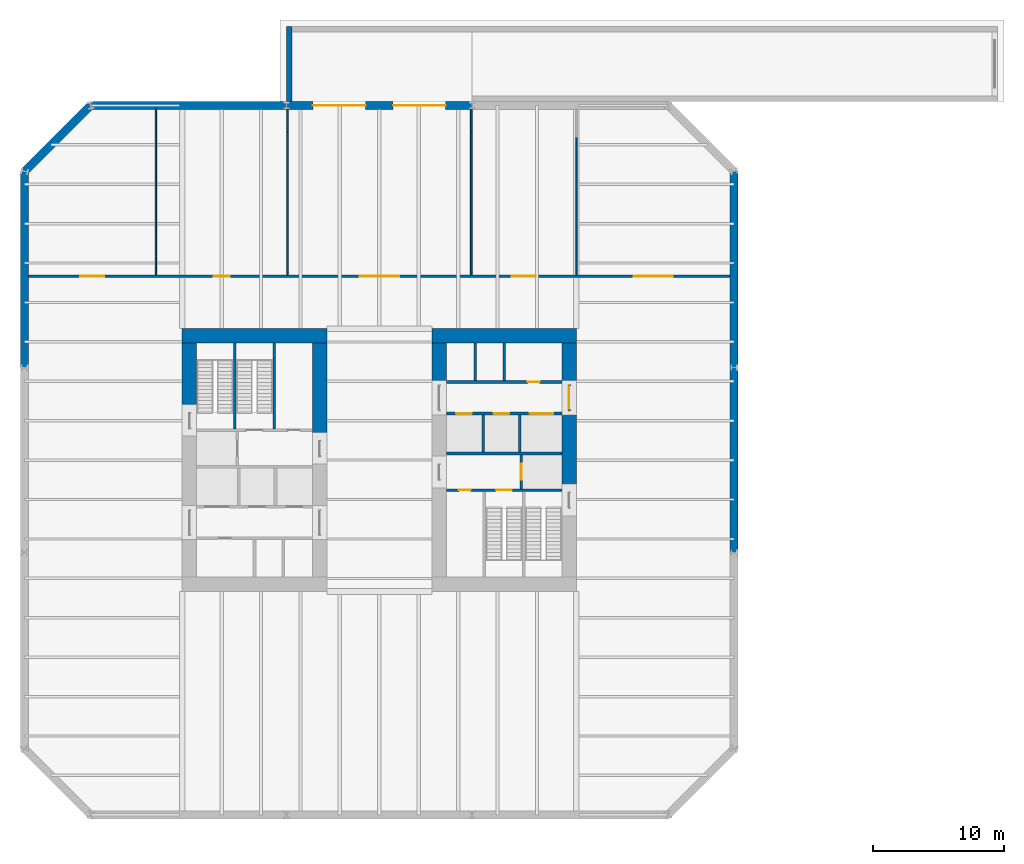
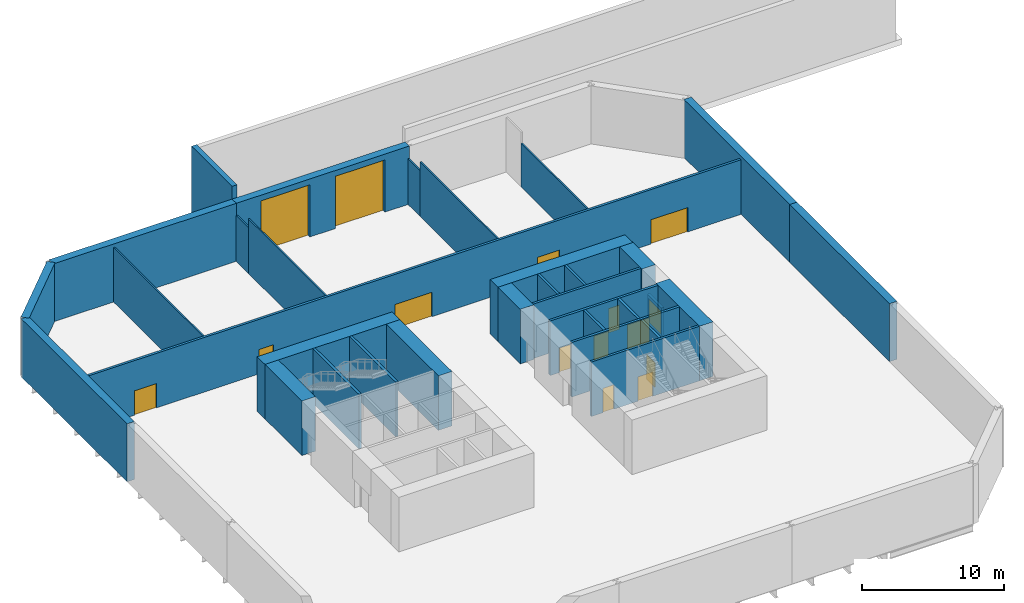
# One storey, part 3 of 6: 33 walls, 15 doors, 15 openings.
"""IFC4 building model written with IfcOpenShell, lengths in metres."""

import ifcopenshell
import ifcopenshell.guid

model = None  # the IFC model being written
_history = None  # IfcOwnerHistory: only IFC2X3 demands one
_inside = {}  # id of a spatial element -> (the spatial element, [elements in it])
_under = {}  # id of a project, library or spatial element -> (it, [spatial elements below it])
_declared = {}  # id of a project -> (the project, [libraries it declares])
_typed = {}  # id of a type object -> (the type object, [elements of that type])
_made_of = {}  # id of a material, layer set ... -> (it, [elements and type objects made of it])


def new_model(schema):
    """Start an empty IFC model of exactly this schema.

    Asked for "IFC4X3", IfcOpenShell would pick the latest addendum, in which some entities
    have other attributes; the version numbers below select the first issue.
    IFC2X3 requires an IfcOwnerHistory on every rooted entity: one is made here for all.
    """
    global model, _history
    if schema == "IFC4X3":
        model = ifcopenshell.file(schema_version=(4, 3, 0, 0))
    else:
        model = ifcopenshell.file(schema=schema)
    _inside.clear()
    _under.clear()
    _declared.clear()
    _typed.clear()
    _made_of.clear()
    _history = None
    if model.schema == "IFC2X3":
        org = make("IfcOrganization", Name="unknown")
        user = make(
            "IfcPersonAndOrganization",
            ThePerson=make("IfcPerson", FamilyName="unknown"),
            TheOrganization=org,
        )
        app = make(
            "IfcApplication",
            ApplicationDeveloper=org,
            Version="unknown",
            ApplicationFullName="unknown",
            ApplicationIdentifier="unknown",
        )
        _history = make(
            "IfcOwnerHistory",
            OwningUser=user,
            OwningApplication=app,
            ChangeAction="ADDED",
            CreationDate=0,
        )
    return model


def make(cls, **values):
    """One entity of the class cls with the attributes given. An attribute that is None is left unset."""
    return model.create_entity(
        cls, **{name: value for name, value in values.items() if value is not None}
    )


def rooted(cls, **values):
    """An entity with a GlobalId (a new one), such as an element, a storey or a relation."""
    return make(cls, GlobalId=ifcopenshell.guid.new(), OwnerHistory=_history, **values)


def si_unit(unit_type, name, prefix=None):
    """IfcSIUnit, for example si_unit("LENGTHUNIT", "METRE", prefix="MILLI")."""
    return make("IfcSIUnit", UnitType=unit_type, Prefix=prefix, Name=name)


def assignment(units):
    """IfcUnitAssignment: the units of a project."""
    return None if units is None else make("IfcUnitAssignment", Units=units)


def point(xyz):
    """IfcCartesianPoint."""
    return None if xyz is None else make("IfcCartesianPoint", Coordinates=xyz)


def direction(xyz):
    """IfcDirection."""
    return None if xyz is None else make("IfcDirection", DirectionRatios=xyz)


def frame(location, z_axis=None, x_axis=None):
    """IfcAxis2Placement3D, a coordinate frame: its origin and axes. An axis left out is left unset."""
    return make(
        "IfcAxis2Placement3D",
        Location=point(location),
        Axis=direction(z_axis),
        RefDirection=direction(x_axis),
    )


def frame_2d(location, x_axis=None):
    """IfcAxis2Placement2D, a coordinate frame in the plane: its origin and x axis."""
    return make(
        "IfcAxis2Placement2D", Location=point(location), RefDirection=direction(x_axis)
    )


def origin():
    """The frame at (0, 0, 0) with its axes left unset."""
    return frame((0.0, 0.0, 0.0))


def place(relative_to, where):
    """IfcLocalPlacement: puts the frame where relative to a parent placement (None: the world)."""
    return make(
        "IfcLocalPlacement", PlacementRelTo=relative_to, RelativePlacement=where
    )


def context(
    kind, dimensions, precision=None, world=None, true_north=None, identifier=None
):
    """IfcGeometricRepresentationContext, for example the 3D "Model" context."""
    return make(
        "IfcGeometricRepresentationContext",
        ContextIdentifier=identifier,
        ContextType=kind,
        CoordinateSpaceDimension=dimensions,
        Precision=precision,
        WorldCoordinateSystem=world,
        TrueNorth=true_north,
    )


def subcontext(parent, identifier, kind, view, scale=None):
    """IfcGeometricRepresentationSubContext, for example "Body" below "Model"."""
    return make(
        "IfcGeometricRepresentationSubContext",
        ContextIdentifier=identifier,
        ContextType=kind,
        ParentContext=parent,
        TargetScale=scale,
        TargetView=view,
    )


def project(units=None, contexts=None):
    """IfcProject with its units and contexts."""
    return rooted(
        "IfcProject",
        Name="project",
        RepresentationContexts=contexts,
        UnitsInContext=assignment(units),
    )


def spatial(cls, under=None, at=None, **own):
    """A site, building, storey or space (cls), placed at a placement, below another one or the project."""
    s = rooted(cls, ObjectPlacement=at, **own)
    if under is not None:
        _under.setdefault(under.id(), (under, []))[1].append(s)
    return s


def profile(cls, at=None, kind="AREA", **sizes):
    """A parametric profile (cls). Its sizes go by their IFC names, for example OverallWidth=200.0."""
    return make(cls, ProfileType=kind, Position=at, **sizes)


def rectangle(**sizes):
    """IfcRectangleProfileDef."""
    return profile("IfcRectangleProfileDef", **sizes)


def extrude(swept, where, along, depth):
    """IfcExtrudedAreaSolid: the profile swept, set in the frame where, extruded along a direction by depth."""
    return make(
        "IfcExtrudedAreaSolid",
        SweptArea=swept,
        Position=where,
        ExtrudedDirection=direction(along),
        Depth=depth,
    )


def shape(context_of_items, identifier, shape_type, items):
    """IfcShapeRepresentation: the items that make up one representation, for example the "Body"."""
    return make(
        "IfcShapeRepresentation",
        ContextOfItems=context_of_items,
        RepresentationIdentifier=identifier,
        RepresentationType=shape_type,
        Items=items,
    )


def material(Name=None, Category=None):
    """IfcMaterial."""
    return make("IfcMaterial", Name=Name, Category=Category)


def layer(
    of_material, thickness, ventilated=None, Name=None, Category=None, Priority=None
):
    """IfcMaterialLayer: one layer of a wall or slab, of a material (None: an air gap)."""
    return make(
        "IfcMaterialLayer",
        Material=of_material,
        LayerThickness=thickness,
        IsVentilated=ventilated,
        Name=Name,
        Category=Category,
        Priority=Priority,
    )


def layer_set(layers, Name=None):
    """IfcMaterialLayerSet."""
    return make("IfcMaterialLayerSet", MaterialLayers=layers, LayerSetName=Name)


def made_of(thing, what):
    """Note that an element or type object is made of a material, layer set ...; save() writes the relation."""
    if what is not None:
        _made_of.setdefault(what.id(), (what, []))[1].append(thing)
    return thing


def type_object(cls, material=None, **own):
    """A type object (cls), such as IfcWallType, which elements share."""
    return made_of(rooted(cls, **own), material)


def element(
    cls,
    number,
    at=None,
    inside=None,
    cuts=None,
    type_object=None,
    material=None,
    context=None,
    identifier="Body",
    shape_type=None,
    held_by="IfcProductDefinitionShape",
    body=None,
    shapes=None,
    **own,
):
    """One element of the class cls, such as IfcWall. Its Tag is "e" and its number.

    at: its placement. inside: the storey or other place that contains it. cuts: it is an
    opening in that element (IfcRelVoidsElement). A single representation is given by context,
    identifier, shape_type and body (its items); several are given by shapes. held_by: the class
    of the entity that holds the representations. save() writes the other relations.
    """
    e = rooted(cls, Tag="e%d" % number, ObjectPlacement=at, **own)
    if body is not None:
        shapes = [shape(context, identifier, shape_type, body)]
    if shapes is not None:
        e.Representation = make(held_by, Representations=shapes)
    if inside is not None:
        _inside.setdefault(inside.id(), (inside, []))[1].append(e)
    if cuts is not None:
        rooted(
            "IfcRelVoidsElement", RelatingBuildingElement=cuts, RelatedOpeningElement=e
        )
    if type_object is not None:
        _typed.setdefault(type_object.id(), (type_object, []))[1].append(e)
    return made_of(e, material)


def fill(opening, filler):
    """IfcRelFillsElement: the door or window that sits in an opening."""
    return rooted(
        "IfcRelFillsElement",
        RelatingOpeningElement=opening,
        RelatedBuildingElement=filler,
    )


def aggregate(whole, parts):
    """IfcRelAggregates: a whole, such as a stair, and the parts it consists of."""
    return rooted("IfcRelAggregates", RelatingObject=whole, RelatedObjects=parts)


def save(model, path):
    """Write the relations noted so far, then the file.

    IfcRelAggregates (storeys below a building ...), IfcRelContainedInSpatialStructure (elements
    in a storey), IfcRelDefinesByType, IfcRelAssociatesMaterial and IfcRelDeclares: one each for
    every whole, place, type object, material and project.
    """
    for whole, parts in _under.values():
        aggregate(whole, parts)
    for where, things in _inside.values():
        rooted(
            "IfcRelContainedInSpatialStructure",
            RelatedElements=things,
            RelatingStructure=where,
        )
    for kind, things in _typed.values():
        rooted("IfcRelDefinesByType", RelatedObjects=things, RelatingType=kind)
    for what, things in _made_of.values():
        rooted("IfcRelAssociatesMaterial", RelatedObjects=things, RelatingMaterial=what)
    for by, libraries in _declared.values():
        rooted("IfcRelDeclares", RelatingContext=by, RelatedDefinitions=libraries)
    model.write(path)


model = new_model("IFC4")

# Units and contexts
model_context = context("Model", 3, precision=1e-05, world=origin(), true_north=direction((0.0, 1.0)))
body_context = subcontext(model_context, "Body", "Model", "MODEL_VIEW")
ifc_project = project(units=[si_unit("LENGTHUNIT", "METRE"), si_unit("AREAUNIT", "SQUARE_METRE"), si_unit("VOLUMEUNIT", "CUBIC_METRE"), si_unit("PLANEANGLEUNIT", "RADIAN"), si_unit("MASSUNIT", "GRAM", prefix="KILO")], contexts=[model_context])

# Site, building, storey
site_placement = place(None, origin())
site = spatial("IfcSite", under=ifc_project, at=site_placement, CompositionType="ELEMENT")
building_placement = place(site_placement, origin())
building = spatial("IfcBuilding", under=site, at=building_placement, Name="Millrace Tower", CompositionType="ELEMENT")
storey_placement = place(building_placement, frame((0.0, 0.0, -5.0)))
storey = spatial("IfcBuildingStorey", under=building, at=storey_placement, Name="B1", CompositionType="ELEMENT", Elevation=-5.0)

# Walls
ifc_material_1 = material(Name="Concrete C40", Category="concrete")
ifc_layer_1 = layer(ifc_material_1, 0.60009765625)
ifc_layer_set_1 = layer_set([ifc_layer_1], Name="Concrete C40")
wall_type_1 = type_object("IfcWallType", Name="Basement retaining wall 600 mm", PredefinedType="SOLIDWALL", material=ifc_layer_set_1)
wall_1_placement = place(storey_placement, frame((27.0, -7.050048828125, 0.0), z_axis=(0.0, 0.0, 1.0), x_axis=(0.0, 1.0, 0.0)))
element("IfcWall", 1, at=wall_1_placement, inside=storey, type_object=wall_type_1, Name="BW-A-B1-07", PredefinedType="SOLIDWALL", context=body_context, shape_type="SweptSolid", body=[
    extrude(rectangle(XDim=14.10009765625, YDim=0.60009765625, at=frame_2d((7.050048828125, 0.0))), origin(), (0.0, 0.0, 1.0), 5.0),
])
wall_2_placement = place(storey_placement, frame((27.0, 7.050048828125, 0.0), z_axis=(0.0, 0.0, 1.0), x_axis=(0.0, 1.0, 0.0)))
element("IfcWall", 2, at=wall_2_placement, inside=storey, type_object=wall_type_1, Name="BW-A-B1-08", PredefinedType="SOLIDWALL", context=body_context, shape_type="SweptSolid", body=[
    extrude(rectangle(XDim=14.928466796875, YDim=0.60009765625, at=frame_2d((7.46435546875, 0.0))), origin(), (0.0, 0.0, 1.0), 5.0),
])

# Wall, openings, doors
wall_3_placement = place(storey_placement, frame((7.050048828125, 27.0, 0.0), z_axis=(0.0, 0.0, 1.0), x_axis=(-1.0, 0.0, 0.0)))
wall_3 = element("IfcWall", 3, at=wall_3_placement, inside=storey, type_object=wall_type_1, Name="BW-A-B1-11", PredefinedType="SOLIDWALL", context=body_context, shape_type="SweptSolid", body=[
    extrude(rectangle(XDim=14.10009765625, YDim=0.60009765625, at=frame_2d((7.050048828125, 0.0))), origin(), (0.0, 0.0, 1.0), 5.0),
])
opening_1_placement = place(wall_3_placement, frame((8.10009765625, 0.0, 0.0)))
opening_1 = element("IfcOpeningElement", 4, at=opening_1_placement, cuts=wall_3, Name="Opening B1-X001", PredefinedType="OPENING", context=body_context, shape_type="SweptSolid", body=[
    extrude(rectangle(XDim=4.0, YDim=4.5, at=frame_2d((2.0, 2.25))), frame((0.0, 0.31005859375, 0.0), z_axis=(0.0, -1.0, 0.0), x_axis=(1.0, 0.0, 0.0)), (0.0, 0.0, 1.0), 0.6201171875),
])
opening_2_placement = place(wall_3_placement, frame((2.0, 0.0, 0.0)))
opening_2 = element("IfcOpeningElement", 5, at=opening_2_placement, cuts=wall_3, Name="Opening B1-X002", PredefinedType="OPENING", context=body_context, shape_type="SweptSolid", body=[
    extrude(rectangle(XDim=4.0, YDim=4.5, at=frame_2d((2.0, 2.25))), frame((0.0, 0.31005859375, 0.0), z_axis=(0.0, -1.0, 0.0), x_axis=(1.0, 0.0, 0.0)), (0.0, 0.0, 1.0), 0.6201171875),
])
ifc_material_2 = material(Name="Steel ASTM A36", Category="steel")
door_type_1 = type_object("IfcDoorType", Name="Loading dock roller shutter door", OperationType="ROLLINGUP", PredefinedType="DOOR", material=ifc_material_2)
door_1_placement = place(opening_1_placement, frame((4.0, 0.0, 0.0), z_axis=(0.0, 0.0, 1.0), x_axis=(-1.0, 0.0, 0.0)))
door_1 = element("IfcDoor", 6, at=door_1_placement, inside=storey, type_object=door_type_1, Name="B1-X001", OperationType="ROLLINGUP", OverallHeight=4.5, OverallWidth=4.0, PredefinedType="DOOR", context=body_context, shape_type="SweptSolid", body=[
    extrude(rectangle(XDim=4.0, YDim=4.5, at=frame_2d((2.0, 2.25))), frame((0.0, 0.02490234375, 0.0), z_axis=(0.0, -1.0, 0.0), x_axis=(1.0, 0.0, 0.0)), (0.0, 0.0, 1.0), 0.050048828125),
])
fill(opening_1, door_1)
door_2_placement = place(opening_2_placement, frame((4.0, 0.0, 0.0), z_axis=(0.0, 0.0, 1.0), x_axis=(-1.0, 0.0, 0.0)))
door_2 = element("IfcDoor", 7, at=door_2_placement, inside=storey, type_object=door_type_1, Name="B1-X002", OperationType="ROLLINGUP", OverallHeight=4.5, OverallWidth=4.0, PredefinedType="DOOR", context=body_context, shape_type="SweptSolid", body=[
    extrude(rectangle(XDim=4.0, YDim=4.5, at=frame_2d((2.0, 2.25))), frame((0.0, 0.02490234375, 0.0), z_axis=(0.0, -1.0, 0.0), x_axis=(1.0, 0.0, 0.0)), (0.0, 0.0, 1.0), 0.050048828125),
])
fill(opening_2, door_2)

# Walls
wall_4_placement = place(storey_placement, frame((-7.050048828125, 27.0, 0.0), z_axis=(0.0, 0.0, 1.0), x_axis=(-1.0, 0.0, 0.0)))
element("IfcWall", 8, at=wall_4_placement, inside=storey, type_object=wall_type_1, Name="BW-A-B1-12", PredefinedType="SOLIDWALL", context=body_context, shape_type="SweptSolid", body=[
    extrude(rectangle(XDim=14.928466796875, YDim=0.60009765625, at=frame_2d((7.46435546875, 0.0))), origin(), (0.0, 0.0, 1.0), 5.0),
])
wall_5_placement = place(storey_placement, frame((-21.978515625, 27.0, 0.0), z_axis=(0.0, 0.0, 1.0), x_axis=(-0.707106781187, -0.707106781187, 0.0)))
element("IfcWall", 9, at=wall_5_placement, inside=storey, type_object=wall_type_1, Name="BW-A-B1-13", PredefinedType="SOLIDWALL", context=body_context, shape_type="SweptSolid", body=[
    extrude(rectangle(XDim=7.1015625, YDim=0.60009765625, at=frame_2d((3.55078125, 0.0))), origin(), (0.0, 0.0, 1.0), 5.0),
])
wall_6_placement = place(storey_placement, frame((-27.0, 21.978515625, 0.0), z_axis=(0.0, 0.0, 1.0), x_axis=(0.0, -1.0, 0.0)))
element("IfcWall", 10, at=wall_6_placement, inside=storey, type_object=wall_type_1, Name="BW-A-B1-14", PredefinedType="SOLIDWALL", context=body_context, shape_type="SweptSolid", body=[
    extrude(rectangle(XDim=14.928466796875, YDim=0.60009765625, at=frame_2d((7.46435546875, 0.0))), origin(), (0.0, 0.0, 1.0), 5.0),
])
ifc_material_3 = material(Name="Concrete C80", Category="concrete")
ifc_layer_2 = layer(ifc_material_3, 1.10009765625)
ifc_layer_set_2 = layer_set([ifc_layer_2], Name="Concrete C80")
wall_type_2 = type_object("IfcWallType", Name="Core wall 1100 Concrete C80", PredefinedType="SHEAR", material=ifc_layer_set_2)
wall_7_placement = place(storey_placement, frame((-15.0, 9.449951171875, 0.0), z_axis=(0.0, 0.0, 1.0), x_axis=(1.0, 0.0, 0.0)))
element("IfcWall", 11, at=wall_7_placement, inside=storey, type_object=wall_type_2, Name="Core wall W B1", PredefinedType="SHEAR", context=body_context, shape_type="SweptSolid", body=[
    extrude(rectangle(XDim=11.0, YDim=1.10009765625, at=frame_2d((5.5, 0.0))), origin(), (0.0, 0.0, 1.0), 4.699951171875),
])
wall_8_placement = place(storey_placement, frame((-14.449951171875, 3.679931640625, 0.0), z_axis=(0.0, 0.0, 1.0), x_axis=(0.0, 1.0, 0.0)))
element("IfcWall", 12, at=wall_8_placement, inside=storey, type_object=wall_type_2, Name="Core wall W B1", PredefinedType="SHEAR", context=body_context, shape_type="SweptSolid", body=[
    extrude(rectangle(XDim=5.219970703125, YDim=1.10009765625, at=frame_2d((2.60986328125, 0.0))), origin(), (0.0, 0.0, 1.0), 4.699951171875),
])
wall_9_placement = place(storey_placement, frame((-4.550048828125, 1.550048828125, 0.0), z_axis=(0.0, 0.0, 1.0), x_axis=(0.0, 1.0, 0.0)))
element("IfcWall", 13, at=wall_9_placement, inside=storey, type_object=wall_type_2, Name="Core wall W B1", PredefinedType="SHEAR", context=body_context, shape_type="SweptSolid", body=[
    extrude(rectangle(XDim=7.349853515625, YDim=1.10009765625, at=frame_2d((3.6748046875, 0.0))), origin(), (0.0, 0.0, 1.0), 4.699951171875),
])
wall_10_placement = place(storey_placement, frame((15.0, 9.449951171875, 0.0), z_axis=(0.0, 0.0, 1.0), x_axis=(-1.0, 0.0, 0.0)))
element("IfcWall", 14, at=wall_10_placement, inside=storey, type_object=wall_type_2, Name="Core wall E B1", PredefinedType="SHEAR", context=body_context, shape_type="SweptSolid", body=[
    extrude(rectangle(XDim=11.0, YDim=1.10009765625, at=frame_2d((5.5, 0.0))), origin(), (0.0, 0.0, 1.0), 4.699951171875),
])
wall_11_placement = place(storey_placement, frame((14.449951171875, 8.89990234375, 0.0), z_axis=(0.0, 0.0, 1.0), x_axis=(0.0, -1.0, 0.0)))
element("IfcWall", 15, at=wall_11_placement, inside=storey, type_object=wall_type_2, Name="Core wall E B1", PredefinedType="SHEAR", context=body_context, shape_type="SweptSolid", body=[
    extrude(rectangle(XDim=3.14990234375, YDim=1.10009765625, at=frame_2d((1.574951171875, 0.0))), origin(), (0.0, 0.0, 1.0), 4.699951171875),
])
wall_12_placement = place(storey_placement, frame((14.449951171875, 3.75, 0.0), z_axis=(0.0, 0.0, 1.0), x_axis=(0.0, -1.0, 0.0)))
element("IfcWall", 16, at=wall_12_placement, inside=storey, type_object=wall_type_2, Name="Core wall E B1", PredefinedType="SHEAR", context=body_context, shape_type="SweptSolid", body=[
    extrude(rectangle(XDim=6.1298828125, YDim=1.10009765625, at=frame_2d((3.06494140625, 0.0))), origin(), (0.0, 0.0, 1.0), 4.699951171875),
])
wall_13_placement = place(storey_placement, frame((4.550048828125, 8.89990234375, 0.0), z_axis=(0.0, 0.0, 1.0), x_axis=(0.0, -1.0, 0.0)))
element("IfcWall", 17, at=wall_13_placement, inside=storey, type_object=wall_type_2, Name="Core wall E B1", PredefinedType="SHEAR", context=body_context, shape_type="SweptSolid", body=[
    extrude(rectangle(XDim=3.14990234375, YDim=1.10009765625, at=frame_2d((1.574951171875, 0.0))), origin(), (0.0, 0.0, 1.0), 4.699951171875),
])

# Wall, openings, doors
ifc_material_4 = material(Name="Masonry partition, fire-rated", Category="masonry")
ifc_layer_3 = layer(ifc_material_4, 0.199951171875)
ifc_layer_set_3 = layer_set([ifc_layer_3], Name="Masonry partition, fire-rated")
wall_type_3 = type_object("IfcWallType", Name="Corridor wall 200", PredefinedType="PARTITIONING", material=ifc_layer_set_3)
wall_14_placement = place(storey_placement, frame((-26.75, 14.0, 0.0), z_axis=(0.0, 0.0, 1.0), x_axis=(1.0, 0.0, 0.0)))
wall_14 = element("IfcWall", 18, at=wall_14_placement, inside=storey, type_object=wall_type_3, Name="Corridor wall B1", PredefinedType="PARTITIONING", context=body_context, shape_type="SweptSolid", body=[
    extrude(rectangle(XDim=53.5, YDim=0.199951171875, at=frame_2d((26.75, 0.0))), origin(), (0.0, 0.0, 1.0), 4.699951171875),
])
opening_3_placement = place(wall_14_placement, frame((25.25, 0.0, 0.0)))
opening_3 = element("IfcOpeningElement", 19, at=opening_3_placement, cuts=wall_14, Name="Opening B1-P001", PredefinedType="OPENING", context=body_context, shape_type="SweptSolid", body=[
    extrude(rectangle(XDim=3.0, YDim=2.10009765625, at=frame_2d((1.5, 1.050048828125))), frame((0.0, 0.10986328125, 0.0), z_axis=(0.0, -1.0, 0.0), x_axis=(1.0, 0.0, 0.0)), (0.0, 0.0, 1.0), 0.219970703125),
])
opening_4_placement = place(wall_14_placement, frame((4.0, 0.0, 0.0)))
opening_4 = element("IfcOpeningElement", 20, at=opening_4_placement, cuts=wall_14, Name="Opening B1-P002", PredefinedType="OPENING", context=body_context, shape_type="SweptSolid", body=[
    extrude(rectangle(XDim=1.800048828125, YDim=2.10009765625, at=frame_2d((0.89990234375, 1.050048828125))), frame((0.0, 0.10986328125, 0.0), z_axis=(0.0, -1.0, 0.0), x_axis=(1.0, 0.0, 0.0)), (0.0, 0.0, 1.0), 0.219970703125),
])
opening_5_placement = place(wall_14_placement, frame((14.14990234375, 0.0, 0.0)))
opening_5 = element("IfcOpeningElement", 21, at=opening_5_placement, cuts=wall_14, Name="Opening B1-P003", PredefinedType="OPENING", context=body_context, shape_type="SweptSolid", body=[
    extrude(rectangle(XDim=1.199951171875, YDim=2.10009765625, at=frame_2d((0.60009765625, 1.050048828125))), frame((0.0, 0.10986328125, 0.0), z_axis=(0.0, -1.0, 0.0), x_axis=(1.0, 0.0, 0.0)), (0.0, 0.0, 1.0), 0.219970703125),
])
opening_6_placement = place(wall_14_placement, frame((36.85009765625, 0.0, 0.0)))
opening_6 = element("IfcOpeningElement", 22, at=opening_6_placement, cuts=wall_14, Name="Opening B1-P004", PredefinedType="OPENING", context=body_context, shape_type="SweptSolid", body=[
    extrude(rectangle(XDim=1.800048828125, YDim=2.10009765625, at=frame_2d((0.89990234375, 1.050048828125))), frame((0.0, 0.10986328125, 0.0), z_axis=(0.0, -1.0, 0.0), x_axis=(1.0, 0.0, 0.0)), (0.0, 0.0, 1.0), 0.219970703125),
])
opening_7_placement = place(wall_14_placement, frame((46.10009765625, 0.0, 0.0)))
opening_7 = element("IfcOpeningElement", 23, at=opening_7_placement, cuts=wall_14, Name="Opening B1-P005", PredefinedType="OPENING", context=body_context, shape_type="SweptSolid", body=[
    extrude(rectangle(XDim=3.0, YDim=2.10009765625, at=frame_2d((1.5, 1.050048828125))), frame((0.0, 0.10986328125, 0.0), z_axis=(0.0, -1.0, 0.0), x_axis=(1.0, 0.0, 0.0)), (0.0, 0.0, 1.0), 0.219970703125),
])
ifc_material_5 = material(Name="Steel door set, fire-rated", Category="steel")
door_type_2 = type_object("IfcDoorType", Name="Corridor door 1200 x 2100", OperationType="SINGLE_SWING_LEFT", PredefinedType="DOOR", material=ifc_material_5)
door_3_placement = place(opening_5_placement, origin())
door_3 = element("IfcDoor", 24, at=door_3_placement, inside=storey, type_object=door_type_2, Name="Door B1-P003", OperationType="SINGLE_SWING_LEFT", OverallHeight=2.10009765625, OverallWidth=1.199951171875, PredefinedType="DOOR", context=body_context, shape_type="SweptSolid", body=[
    extrude(rectangle(XDim=1.199951171875, YDim=2.10009765625, at=frame_2d((0.60009765625, 1.050048828125))), frame((0.0, 0.02490234375, 0.0), z_axis=(0.0, -1.0, 0.0), x_axis=(1.0, 0.0, 0.0)), (0.0, 0.0, 1.0), 0.050048828125),
])
fill(opening_5, door_3)
ifc_material_6 = material(Name="Steel door set, fire-rated", Category="steel")
door_type_3 = type_object("IfcDoorType", Name="Corridor door 1800 x 2100", OperationType="DOUBLE_DOOR_SINGLE_SWING", PredefinedType="DOOR", material=ifc_material_6)
door_4_placement = place(opening_4_placement, origin())
door_4 = element("IfcDoor", 25, at=door_4_placement, inside=storey, type_object=door_type_3, Name="Door B1-P002", OperationType="DOUBLE_DOOR_SINGLE_SWING", OverallHeight=2.10009765625, OverallWidth=1.800048828125, PredefinedType="DOOR", context=body_context, shape_type="SweptSolid", body=[
    extrude(rectangle(XDim=1.800048828125, YDim=2.10009765625, at=frame_2d((0.89990234375, 1.050048828125))), frame((0.0, 0.02490234375, 0.0), z_axis=(0.0, -1.0, 0.0), x_axis=(1.0, 0.0, 0.0)), (0.0, 0.0, 1.0), 0.050048828125),
])
fill(opening_4, door_4)
door_5_placement = place(opening_6_placement, origin())
door_5 = element("IfcDoor", 26, at=door_5_placement, inside=storey, type_object=door_type_3, Name="Door B1-P004", OperationType="DOUBLE_DOOR_SINGLE_SWING", OverallHeight=2.10009765625, OverallWidth=1.800048828125, PredefinedType="DOOR", context=body_context, shape_type="SweptSolid", body=[
    extrude(rectangle(XDim=1.800048828125, YDim=2.10009765625, at=frame_2d((0.89990234375, 1.050048828125))), frame((0.0, 0.02490234375, 0.0), z_axis=(0.0, -1.0, 0.0), x_axis=(1.0, 0.0, 0.0)), (0.0, 0.0, 1.0), 0.050048828125),
])
fill(opening_6, door_5)
ifc_material_7 = material(Name="Steel door set, fire-rated", Category="steel")
door_type_4 = type_object("IfcDoorType", Name="Corridor door 3000 x 2100", OperationType="DOUBLE_DOOR_SINGLE_SWING", PredefinedType="DOOR", material=ifc_material_7)
door_6_placement = place(opening_3_placement, frame((3.0, 0.0, 0.0), z_axis=(0.0, 0.0, 1.0), x_axis=(-1.0, 0.0, 0.0)))
door_6 = element("IfcDoor", 27, at=door_6_placement, inside=storey, type_object=door_type_4, Name="Door B1-P001", OperationType="DOUBLE_DOOR_SINGLE_SWING", OverallHeight=2.10009765625, OverallWidth=3.0, PredefinedType="DOOR", context=body_context, shape_type="SweptSolid", body=[
    extrude(rectangle(XDim=3.0, YDim=2.10009765625, at=frame_2d((1.5, 1.050048828125))), frame((0.0, 0.02490234375, 0.0), z_axis=(0.0, -1.0, 0.0), x_axis=(1.0, 0.0, 0.0)), (0.0, 0.0, 1.0), 0.050048828125),
])
fill(opening_3, door_6)
door_7_placement = place(opening_7_placement, origin())
door_7 = element("IfcDoor", 28, at=door_7_placement, inside=storey, type_object=door_type_4, Name="Door B1-P005", OperationType="DOUBLE_DOOR_SINGLE_SWING", OverallHeight=2.10009765625, OverallWidth=3.0, PredefinedType="DOOR", context=body_context, shape_type="SweptSolid", body=[
    extrude(rectangle(XDim=3.0, YDim=2.10009765625, at=frame_2d((1.5, 1.050048828125))), frame((0.0, 0.02490234375, 0.0), z_axis=(0.0, -1.0, 0.0), x_axis=(1.0, 0.0, 0.0)), (0.0, 0.0, 1.0), 0.050048828125),
])
fill(opening_7, door_7)

# Wall
ifc_material_8 = material(Name="Concrete C45", Category="concrete")
ifc_layer_4 = layer(ifc_material_8, 0.39990234375)
ifc_layer_set_4 = layer_set([ifc_layer_4], Name="Concrete C45")
wall_type_4 = type_object("IfcWallType", Name="Court retaining wall 400 mm", PredefinedType="SOLIDWALL", material=ifc_layer_set_4)
wall_15_placement = place(storey_placement, frame((-6.85009765625, 27.300048828125, -0.300048828125), z_axis=(0.0, 0.0, 1.0), x_axis=(0.0, 1.0, 0.0)))
element("IfcWall", 29, at=wall_15_placement, inside=storey, type_object=wall_type_4, Name="Court retaining wall W", PredefinedType="SOLIDWALL", context=body_context, shape_type="SweptSolid", body=[
    extrude(rectangle(XDim=5.699951171875, YDim=0.39990234375, at=frame_2d((2.85009765625, 0.0))), origin(), (0.0, 0.0, 1.0), 6.400146484375),
])

# Wall, opening, door
ifc_material_9 = material(Name="Masonry partition, fire-rated", Category="masonry")
ifc_layer_5 = layer(ifc_material_9, 0.199951171875)
ifc_layer_set_5 = layer_set([ifc_layer_5], Name="Masonry partition, fire-rated")
wall_type_5 = type_object("IfcWallType", Name="Lift shaft wall 200", PredefinedType="PARTITIONING", material=ifc_layer_set_5)
wall_16_placement = place(storey_placement, frame((13.89990234375, 5.949951171875, 0.0), z_axis=(0.0, 0.0, 1.0), x_axis=(-1.0, 0.0, 0.0)))
wall_16 = element("IfcWall", 30, at=wall_16_placement, inside=storey, type_object=wall_type_5, Name="Lift shaft wall E B1", PredefinedType="PARTITIONING", context=body_context, shape_type="SweptSolid", body=[
    extrude(rectangle(XDim=8.7998046875, YDim=0.199951171875, at=frame_2d((4.39990234375, 0.0))), origin(), (0.0, 0.0, 1.0), 4.699951171875),
])
opening_8_placement = place(wall_16_placement, frame((1.699951171875, 0.0, 0.0)))
opening_8 = element("IfcOpeningElement", 31, at=opening_8_placement, cuts=wall_16, Name="Opening B1-C012", PredefinedType="OPENING", context=body_context, shape_type="SweptSolid", body=[
    extrude(rectangle(XDim=0.89990234375, YDim=2.10009765625, at=frame_2d((0.449951171875, 1.050048828125))), frame((0.0, 0.10986328125, 0.0), z_axis=(0.0, -1.0, 0.0), x_axis=(1.0, 0.0, 0.0)), (0.0, 0.0, 1.0), 0.219970703125),
])
ifc_material_10 = material(Name="Steel door, fire-rated", Category="steel")
door_type_5 = type_object("IfcDoorType", Name="Service room door 900 x 2100", OperationType="SINGLE_SWING_LEFT", PredefinedType="DOOR", material=ifc_material_10)
door_8_placement = place(opening_8_placement, frame((0.89990234375, 0.0, 0.0), z_axis=(0.0, 0.0, 1.0), x_axis=(-1.0, 0.0, 0.0)))
door_8 = element("IfcDoor", 32, at=door_8_placement, inside=storey, type_object=door_type_5, Name="Service room door B1-C012", OperationType="SINGLE_SWING_RIGHT", OverallHeight=2.10009765625, OverallWidth=0.89990234375, PredefinedType="DOOR", context=body_context, shape_type="SweptSolid", body=[
    extrude(rectangle(XDim=0.89990234375, YDim=2.10009765625, at=frame_2d((0.449951171875, 1.050048828125))), frame((0.0, 0.02490234375, 0.0), z_axis=(0.0, -1.0, 0.0), x_axis=(1.0, 0.0, 0.0)), (0.0, 0.0, 1.0), 0.050048828125),
])
fill(opening_8, door_8)

# Wall, openings, doors
wall_17_placement = place(storey_placement, frame((13.89990234375, 3.550048828125, 0.0), z_axis=(0.0, 0.0, 1.0), x_axis=(-1.0, 0.0, 0.0)))
wall_17 = element("IfcWall", 33, at=wall_17_placement, inside=storey, type_object=wall_type_5, Name="Lift shaft wall E B1", PredefinedType="PARTITIONING", context=body_context, shape_type="SweptSolid", body=[
    extrude(rectangle(XDim=8.7998046875, YDim=0.199951171875, at=frame_2d((4.39990234375, 0.0))), origin(), (0.0, 0.0, 1.0), 4.699951171875),
])
opening_9_placement = place(wall_17_placement, frame((0.64990234375, 0.0, 0.0)))
opening_9 = element("IfcOpeningElement", 34, at=opening_9_placement, cuts=wall_17, Name="Opening B1-LD13", PredefinedType="OPENING", context=body_context, shape_type="SweptSolid", body=[
    extrude(rectangle(XDim=1.800048828125, YDim=2.10009765625, at=frame_2d((0.89990234375, 1.050048828125))), frame((0.0, 0.10986328125, 0.0), z_axis=(0.0, -1.0, 0.0), x_axis=(1.0, 0.0, 0.0)), (0.0, 0.0, 1.0), 0.219970703125),
])
opening_10_placement = place(wall_17_placement, frame((4.0, 0.0, 0.0)))
opening_10 = element("IfcOpeningElement", 35, at=opening_10_placement, cuts=wall_17, Name="Opening B1-LD14", PredefinedType="OPENING", context=body_context, shape_type="SweptSolid", body=[
    extrude(rectangle(XDim=1.199951171875, YDim=2.10009765625, at=frame_2d((0.60009765625, 1.050048828125))), frame((0.0, 0.10986328125, 0.0), z_axis=(0.0, -1.0, 0.0), x_axis=(1.0, 0.0, 0.0)), (0.0, 0.0, 1.0), 0.219970703125),
])
opening_11_placement = place(wall_17_placement, frame((6.85009765625, 0.0, 0.0)))
opening_11 = element("IfcOpeningElement", 36, at=opening_11_placement, cuts=wall_17, Name="Opening B1-LD15", PredefinedType="OPENING", context=body_context, shape_type="SweptSolid", body=[
    extrude(rectangle(XDim=1.199951171875, YDim=2.10009765625, at=frame_2d((0.60009765625, 1.050048828125))), frame((0.0, 0.10986328125, 0.0), z_axis=(0.0, -1.0, 0.0), x_axis=(1.0, 0.0, 0.0)), (0.0, 0.0, 1.0), 0.219970703125),
])
ifc_material_11 = material(Name="Stainless steel, fire-rated", Category="steel")
door_type_6 = type_object("IfcDoorType", Name="Lift landing door 1200 x 2100", OperationType="DOUBLE_DOOR_SLIDING", PredefinedType="DOOR", material=ifc_material_11)
door_9_placement = place(opening_10_placement, origin())
door_9 = element("IfcDoor", 37, at=door_9_placement, inside=storey, type_object=door_type_6, Name="Lift landing door LF14 B1", OperationType="DOUBLE_DOOR_SLIDING", OverallHeight=2.10009765625, OverallWidth=1.199951171875, PredefinedType="DOOR", context=body_context, shape_type="SweptSolid", body=[
    extrude(rectangle(XDim=1.199951171875, YDim=2.10009765625, at=frame_2d((0.60009765625, 1.050048828125))), frame((0.0, 0.02490234375, 0.0), z_axis=(0.0, -1.0, 0.0), x_axis=(1.0, 0.0, 0.0)), (0.0, 0.0, 1.0), 0.050048828125),
])
fill(opening_10, door_9)
door_10_placement = place(opening_11_placement, origin())
door_10 = element("IfcDoor", 38, at=door_10_placement, inside=storey, type_object=door_type_6, Name="Lift landing door LF15 B1", OperationType="DOUBLE_DOOR_SLIDING", OverallHeight=2.10009765625, OverallWidth=1.199951171875, PredefinedType="DOOR", context=body_context, shape_type="SweptSolid", body=[
    extrude(rectangle(XDim=1.199951171875, YDim=2.10009765625, at=frame_2d((0.60009765625, 1.050048828125))), frame((0.0, 0.02490234375, 0.0), z_axis=(0.0, -1.0, 0.0), x_axis=(1.0, 0.0, 0.0)), (0.0, 0.0, 1.0), 0.050048828125),
])
fill(opening_11, door_10)
ifc_material_12 = material(Name="Stainless steel, fire-rated", Category="steel")
door_type_7 = type_object("IfcDoorType", Name="Lift landing door 1800 x 2100", OperationType="DOUBLE_DOOR_SLIDING", PredefinedType="DOOR", material=ifc_material_12)
door_11_placement = place(opening_9_placement, origin())
door_11 = element("IfcDoor", 39, at=door_11_placement, inside=storey, type_object=door_type_7, Name="Lift landing door LF13 B1", OperationType="DOUBLE_DOOR_SLIDING", OverallHeight=2.10009765625, OverallWidth=1.800048828125, PredefinedType="DOOR", context=body_context, shape_type="SweptSolid", body=[
    extrude(rectangle(XDim=1.800048828125, YDim=2.10009765625, at=frame_2d((0.89990234375, 1.050048828125))), frame((0.0, 0.02490234375, 0.0), z_axis=(0.0, -1.0, 0.0), x_axis=(1.0, 0.0, 0.0)), (0.0, 0.0, 1.0), 0.050048828125),
])
fill(opening_9, door_11)

# Wall
wall_18_placement = place(storey_placement, frame((13.89990234375, 0.5, 0.0), z_axis=(0.0, 0.0, 1.0), x_axis=(-1.0, 0.0, 0.0)))
element("IfcWall", 40, at=wall_18_placement, inside=storey, type_object=wall_type_5, Name="Lift shaft wall E B1", PredefinedType="PARTITIONING", context=body_context, shape_type="SweptSolid", body=[
    extrude(rectangle(XDim=8.7998046875, YDim=0.199951171875, at=frame_2d((4.39990234375, 0.0))), origin(), (0.0, 0.0, 1.0), 4.699951171875),
])

# Wall, opening, door
wall_19_placement = place(storey_placement, frame((10.800048828125, 0.39990234375, 0.0), z_axis=(0.0, 0.0, 1.0), x_axis=(0.0, -1.0, 0.0)))
wall_19 = element("IfcWall", 41, at=wall_19_placement, inside=storey, type_object=wall_type_5, Name="Lift shaft wall E B1", PredefinedType="PARTITIONING", context=body_context, shape_type="SweptSolid", body=[
    extrude(rectangle(XDim=2.579833984375, YDim=0.199951171875, at=frame_2d((1.2900390625, 0.0))), origin(), (0.0, 0.0, 1.0), 4.699951171875),
])
opening_12_placement = place(wall_19_placement, frame((0.68994140625, 0.0, 0.0)))
opening_12 = element("IfcOpeningElement", 42, at=opening_12_placement, cuts=wall_19, Name="Opening B1-LD16", PredefinedType="OPENING", context=body_context, shape_type="SweptSolid", body=[
    extrude(rectangle(XDim=1.199951171875, YDim=2.10009765625, at=frame_2d((0.60009765625, 1.050048828125))), frame((0.0, 0.10986328125, 0.0), z_axis=(0.0, -1.0, 0.0), x_axis=(1.0, 0.0, 0.0)), (0.0, 0.0, 1.0), 0.219970703125),
])
door_12_placement = place(opening_12_placement, origin())
door_12 = element("IfcDoor", 43, at=door_12_placement, inside=storey, type_object=door_type_6, Name="Lift landing door LF16 B1", OperationType="DOUBLE_DOOR_SLIDING", OverallHeight=2.10009765625, OverallWidth=1.199951171875, PredefinedType="DOOR", context=body_context, shape_type="SweptSolid", body=[
    extrude(rectangle(XDim=1.199951171875, YDim=2.10009765625, at=frame_2d((0.60009765625, 1.050048828125))), frame((0.0, 0.02490234375, 0.0), z_axis=(0.0, -1.0, 0.0), x_axis=(1.0, 0.0, 0.0)), (0.0, 0.0, 1.0), 0.050048828125),
])
fill(opening_12, door_12)

# Walls
for number, where, z_axis, x_axis, name in (
    (44, (9.5, 8.89990234375, 0.0), (0.0, 0.0, 1.0), (0.0, -1.0, 0.0), "Lift shaft wall E B1"),
    (45, (7.300048828125, 8.89990234375, 0.0), (0.0, 0.0, 1.0), (0.0, -1.0, 0.0), "Lift shaft wall E B1"),
    (46, (10.699951171875, 3.449951171875, 0.0), (0.0, 0.0, 1.0), (0.0, -1.0, 0.0), "Lift shaft wall E B1"),
    (47, (7.89990234375, 3.449951171875, 0.0), (0.0, 0.0, 1.0), (0.0, -1.0, 0.0), "Lift shaft wall E B1"),
):
    element("IfcWall", number, at=place(storey_placement, frame(where, z_axis=z_axis, x_axis=x_axis)), inside=storey, type_object=wall_type_5, Name=name, PredefinedType="PARTITIONING", context=body_context, shape_type="SweptSolid", body=[
        extrude(rectangle(XDim=2.849853515625, YDim=0.199951171875, at=frame_2d((1.4248046875, 0.0))), origin(), (0.0, 0.0, 1.0), 4.699951171875),
    ])

# Wall, opening, door
ifc_material_13 = material(Name="Masonry partition, fire-rated", Category="masonry")
ifc_layer_6 = layer(ifc_material_13, 0.199951171875)
ifc_layer_set_6 = layer_set([ifc_layer_6], Name="Masonry partition, fire-rated")
wall_type_6 = type_object("IfcWallType", Name="Lobby wall 200", PredefinedType="PARTITIONING", material=ifc_layer_set_6)
wall_20_placement = place(storey_placement, frame((14.449951171875, 5.75, 0.0), z_axis=(0.0, 0.0, 1.0), x_axis=(0.0, -1.0, 0.0)))
wall_20 = element("IfcWall", 48, at=wall_20_placement, inside=storey, type_object=wall_type_6, Name="Lobby wall E B1", PredefinedType="PARTITIONING", context=body_context, shape_type="SweptSolid", body=[
    extrude(rectangle(XDim=2.0, YDim=0.199951171875, at=frame_2d((1.0, 0.0))), origin(), (0.0, 0.0, 1.0), 2.39990234375),
])
opening_13_placement = place(wall_20_placement, frame((0.10009765625, 0.0, 0.0)))
opening_13 = element("IfcOpeningElement", 49, at=opening_13_placement, cuts=wall_20, Name="Opening B1-C008", PredefinedType="OPENING", context=body_context, shape_type="SweptSolid", body=[
    extrude(rectangle(XDim=1.800048828125, YDim=2.10009765625, at=frame_2d((0.89990234375, 1.050048828125))), frame((0.0, 0.10986328125, 0.0), z_axis=(0.0, -1.0, 0.0), x_axis=(1.0, 0.0, 0.0)), (0.0, 0.0, 1.0), 0.219970703125),
])
ifc_material_14 = material(Name="Steel door, fire-rated", Category="steel")
door_type_8 = type_object("IfcDoorType", Name="Lobby door 1800 x 2100", OperationType="DOUBLE_DOOR_SINGLE_SWING", PredefinedType="DOOR", material=ifc_material_14)
door_13_placement = place(opening_13_placement, origin())
door_13 = element("IfcDoor", 50, at=door_13_placement, inside=storey, type_object=door_type_8, Name="Lobby door B1-C008", OperationType="DOUBLE_DOOR_SINGLE_SWING", OverallHeight=2.10009765625, OverallWidth=1.800048828125, PredefinedType="DOOR", context=body_context, shape_type="SweptSolid", body=[
    extrude(rectangle(XDim=1.800048828125, YDim=2.10009765625, at=frame_2d((0.89990234375, 1.050048828125))), frame((0.0, 0.02490234375, 0.0), z_axis=(0.0, -1.0, 0.0), x_axis=(1.0, 0.0, 0.0)), (0.0, 0.0, 1.0), 0.050048828125),
])
fill(opening_13, door_13)

# Walls
ifc_material_15 = material(Name="Gypsum board partition")
ifc_layer_7 = layer(ifc_material_15, 0.1201171875)
ifc_layer_set_7 = layer_set([ifc_layer_7], Name="Gypsum board partition")
wall_type_7 = type_object("IfcWallType", Name="Partition wall 120", PredefinedType="PARTITIONING", material=ifc_layer_set_7)
wall_21_placement = place(storey_placement, frame((15.0, 14.10009765625, 0.0), z_axis=(0.0, 0.0, 1.0), x_axis=(0.0, 1.0, 0.0)))
element("IfcWall", 51, at=wall_21_placement, inside=storey, type_object=wall_type_7, Name="Partition wall B1", PredefinedType="PARTITIONING", context=body_context, shape_type="SweptSolid", body=[
    extrude(rectangle(XDim=10.478271484375, YDim=0.1201171875, at=frame_2d((5.2392578125, 0.0))), origin(), (0.0, 0.0, 1.0), 3.752685546875),
])
wall_22_placement = place(storey_placement, frame((7.0, 14.10009765625, 0.0), z_axis=(0.0, 0.0, 1.0), x_axis=(0.0, 1.0, 0.0)))
element("IfcWall", 52, at=wall_22_placement, inside=storey, type_object=wall_type_7, Name="Partition wall B1", PredefinedType="PARTITIONING", context=body_context, shape_type="SweptSolid", body=[
    extrude(rectangle(XDim=10.89990234375, YDim=0.1201171875, at=frame_2d((5.449951171875, 0.0))), origin(), (0.0, 0.0, 1.0), 4.699951171875),
])
wall_23_placement = place(storey_placement, frame((7.0, 25.0, 0.0), z_axis=(0.0, 0.0, 1.0), x_axis=(0.0, 1.0, 0.0)))
element("IfcWall", 53, at=wall_23_placement, inside=storey, type_object=wall_type_7, Name="Partition wall B1", PredefinedType="PARTITIONING", context=body_context, shape_type="SweptSolid", body=[
    extrude(rectangle(XDim=1.75, YDim=0.1201171875, at=frame_2d((0.875, 0.0))), origin(), (0.0, 0.0, 1.0), 3.943115234375),
])
wall_24_placement = place(storey_placement, frame((-7.0, 14.10009765625, 0.0), z_axis=(0.0, 0.0, 1.0), x_axis=(0.0, 1.0, 0.0)))
element("IfcWall", 54, at=wall_24_placement, inside=storey, type_object=wall_type_7, Name="Partition wall B1", PredefinedType="PARTITIONING", context=body_context, shape_type="SweptSolid", body=[
    extrude(rectangle(XDim=10.89990234375, YDim=0.1201171875, at=frame_2d((5.449951171875, 0.0))), origin(), (0.0, 0.0, 1.0), 4.699951171875),
])
wall_25_placement = place(storey_placement, frame((-7.0, 25.0, 0.0), z_axis=(0.0, 0.0, 1.0), x_axis=(0.0, 1.0, 0.0)))
element("IfcWall", 55, at=wall_25_placement, inside=storey, type_object=wall_type_7, Name="Partition wall B1", PredefinedType="PARTITIONING", context=body_context, shape_type="SweptSolid", body=[
    extrude(rectangle(XDim=1.75, YDim=0.1201171875, at=frame_2d((0.875, 0.0))), origin(), (0.0, 0.0, 1.0), 3.943115234375),
])
wall_26_placement = place(storey_placement, frame((-17.0, 14.10009765625, 0.0), z_axis=(0.0, 0.0, 1.0), x_axis=(0.0, 1.0, 0.0)))
element("IfcWall", 56, at=wall_26_placement, inside=storey, type_object=wall_type_7, Name="Partition wall B1", PredefinedType="PARTITIONING", context=body_context, shape_type="SweptSolid", body=[
    extrude(rectangle(XDim=12.64990234375, YDim=0.1201171875, at=frame_2d((6.324951171875, 0.0))), origin(), (0.0, 0.0, 1.0), 4.699951171875),
])
ifc_material_16 = material(Name="Concrete C40", Category="concrete")
ifc_layer_8 = layer(ifc_material_16, 0.199951171875)
ifc_layer_set_8 = layer_set([ifc_layer_8], Name="Concrete C40")
wall_type_8 = type_object("IfcWallType", Name="Stair enclosure wall 200 Concrete C40", PredefinedType="SHEAR", material=ifc_layer_set_8)
for number, where, z_axis, x_axis, name in (
    (57, (-11.0, 2.3798828125, 0.0), (0.0, 0.0, 1.0), (0.0, 1.0, 0.0), "Stair enclosure wall W B1"),
    (58, (-8.0, 2.3798828125, 0.0), (0.0, 0.0, 1.0), (0.0, 1.0, 0.0), "Stair enclosure wall W B1"),
):
    element("IfcWall", number, at=place(storey_placement, frame(where, z_axis=z_axis, x_axis=x_axis)), inside=storey, type_object=wall_type_8, Name=name, PredefinedType="SHEAR", context=body_context, shape_type="SweptSolid", body=[
        extrude(rectangle(XDim=6.52001953125, YDim=0.199951171875, at=frame_2d((3.260009765625, 0.0))), origin(), (0.0, 0.0, 1.0), 4.699951171875),
    ])

# Wall, openings, doors
wall_27_placement = place(storey_placement, frame((13.89990234375, -2.280029296875, 0.0), z_axis=(0.0, 0.0, 1.0), x_axis=(-1.0, 0.0, 0.0)))
wall_27 = element("IfcWall", 59, at=wall_27_placement, inside=storey, type_object=wall_type_8, Name="Stair enclosure wall E B1", PredefinedType="SHEAR", context=body_context, shape_type="SweptSolid", body=[
    extrude(rectangle(XDim=8.7998046875, YDim=0.199951171875, at=frame_2d((4.39990234375, 0.0))), origin(), (0.0, 0.0, 1.0), 4.699951171875),
])
opening_14_placement = place(wall_27_placement, frame((3.800048828125, 0.0, 0.0)))
opening_14 = element("IfcOpeningElement", 60, at=opening_14_placement, cuts=wall_27, Name="Opening B1-C013", PredefinedType="OPENING", context=body_context, shape_type="SweptSolid", body=[
    extrude(rectangle(XDim=1.199951171875, YDim=2.10009765625, at=frame_2d((0.60009765625, 1.050048828125))), frame((0.0, 0.10986328125, 0.0), z_axis=(0.0, -1.0, 0.0), x_axis=(1.0, 0.0, 0.0)), (0.0, 0.0, 1.0), 0.219970703125),
])
opening_15_placement = place(wall_27_placement, frame((6.949951171875, 0.0, 0.0)))
opening_15 = element("IfcOpeningElement", 61, at=opening_15_placement, cuts=wall_27, Name="Opening B1-C014", PredefinedType="OPENING", context=body_context, shape_type="SweptSolid", body=[
    extrude(rectangle(XDim=0.89990234375, YDim=2.10009765625, at=frame_2d((0.449951171875, 1.050048828125))), frame((0.0, 0.10986328125, 0.0), z_axis=(0.0, -1.0, 0.0), x_axis=(1.0, 0.0, 0.0)), (0.0, 0.0, 1.0), 0.219970703125),
])
door_14_placement = place(opening_15_placement, origin())
door_14 = element("IfcDoor", 62, at=door_14_placement, inside=storey, type_object=door_type_5, Name="Service room door B1-C014", OperationType="SINGLE_SWING_RIGHT", OverallHeight=2.10009765625, OverallWidth=0.89990234375, PredefinedType="DOOR", context=body_context, shape_type="SweptSolid", body=[
    extrude(rectangle(XDim=0.89990234375, YDim=2.10009765625, at=frame_2d((0.449951171875, 1.050048828125))), frame((0.0, 0.02490234375, 0.0), z_axis=(0.0, -1.0, 0.0), x_axis=(1.0, 0.0, 0.0)), (0.0, 0.0, 1.0), 0.050048828125),
])
fill(opening_15, door_14)
ifc_material_17 = material(Name="Steel door, fire-rated", Category="steel")
door_type_9 = type_object("IfcDoorType", Name="Stair door 1200 x 2100", OperationType="SINGLE_SWING_LEFT", PredefinedType="DOOR", material=ifc_material_17)
door_15_placement = place(opening_14_placement, frame((1.199951171875, 0.0, 0.0), z_axis=(0.0, 0.0, 1.0), x_axis=(-1.0, 0.0, 0.0)))
door_15 = element("IfcDoor", 63, at=door_15_placement, inside=storey, type_object=door_type_9, Name="Stair door B1-C013", OperationType="SINGLE_SWING_RIGHT", OverallHeight=2.10009765625, OverallWidth=1.199951171875, PredefinedType="DOOR", context=body_context, shape_type="SweptSolid", body=[
    extrude(rectangle(XDim=1.199951171875, YDim=2.10009765625, at=frame_2d((0.60009765625, 1.050048828125))), frame((0.0, 0.02490234375, 0.0), z_axis=(0.0, -1.0, 0.0), x_axis=(1.0, 0.0, 0.0)), (0.0, 0.0, 1.0), 0.050048828125),
])
fill(opening_14, door_15)

save(model, "model.ifc")
